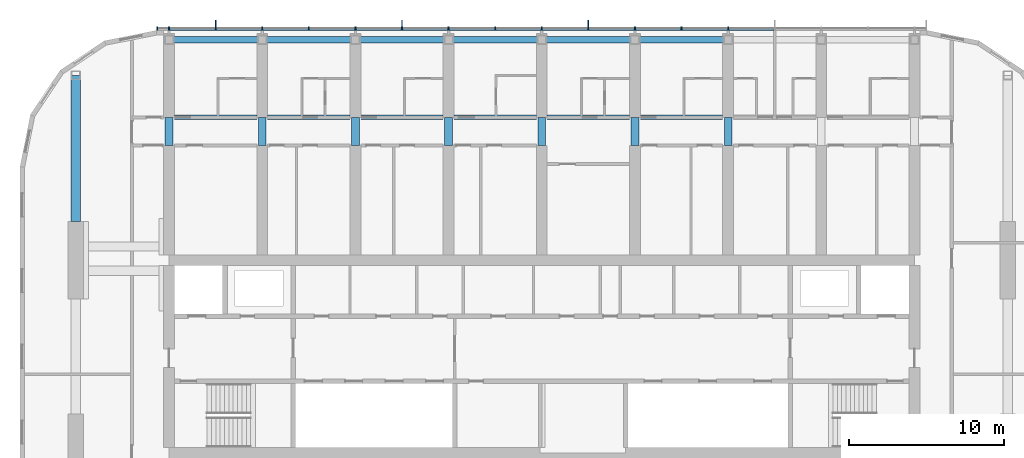
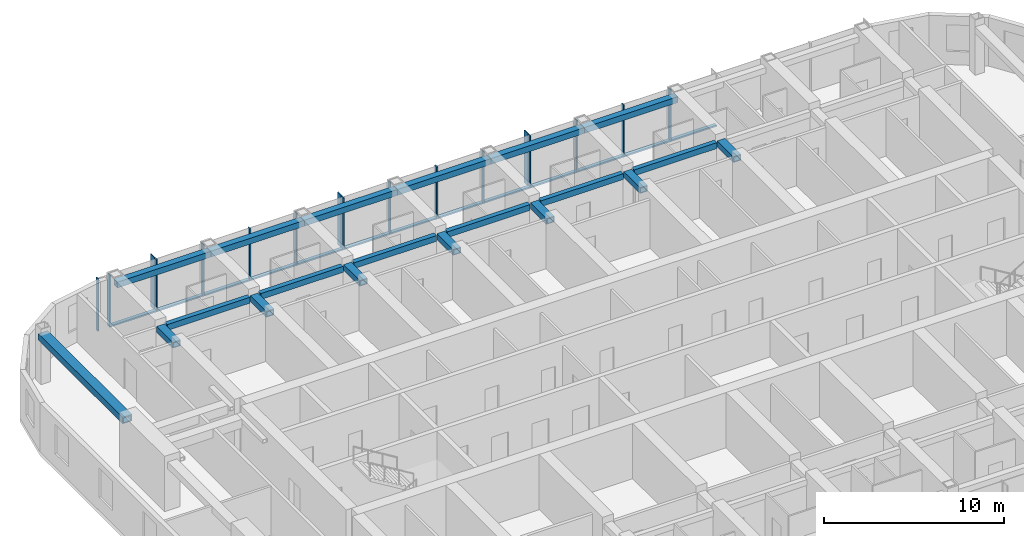
# One storey, part 4 of 23: 30 members, 20 beams, 1 element without a shape of its own.
"""IFC4 building model written with IfcOpenShell, lengths in metres."""

from ifc_helpers import new_model, si_unit, direction, frame, origin, origin_2d, place, context, subcontext, project, spatial, rectangle, hollow_rectangle, extrude, material, material_profile, profile_set, type_object, element, aggregate, save


model = new_model("IFC4")

# Units and contexts
model_context = context("Model", 3, precision=1e-05, world=origin(), true_north=direction((0.0, 1.0)))
body_context = subcontext(model_context, "Body", "Model", "MODEL_VIEW")
ifc_project = project(units=[si_unit("LENGTHUNIT", "METRE"), si_unit("AREAUNIT", "SQUARE_METRE"), si_unit("VOLUMEUNIT", "CUBIC_METRE"), si_unit("PLANEANGLEUNIT", "RADIAN"), si_unit("MASSUNIT", "GRAM", prefix="KILO")], contexts=[model_context])

# Site, building, storey
site_placement = place(None, origin())
site = spatial("IfcSite", under=ifc_project, at=site_placement, CompositionType="ELEMENT")
building_placement = place(site_placement, origin())
building = spatial("IfcBuilding", under=site, at=building_placement, Name="Orbita Commons", CompositionType="ELEMENT")
storey_placement = place(building_placement, frame((0.0, 0.0, 212.800048828125)))
storey = spatial("IfcBuildingStorey", under=building, at=storey_placement, Name="L52", CompositionType="ELEMENT", Elevation=212.800048828125)

# Curtain wall, members
ifc_material_1 = material(Name="Anodised aluminium frame, pale silver", Category="aluminium")
curtain_wall_type = type_object("IfcCurtainWallType", Name="Unitised curtain wall CW-U, full-height vision", PredefinedType="NOTDEFINED", material=ifc_material_1)
curtain_wall_placement = place(storey_placement, origin())
curtain_wall = element("IfcCurtainWall", 1, at=curtain_wall_placement, inside=storey, type_object=curtain_wall_type, Name="Curtain wall north L52", PredefinedType="NOTDEFINED")
ifc_material_2 = material(Name="Anodised aluminium, pale silver", Category="aluminium")
ifc_material_profile_1 = material_profile(ifc_material_2, rectangle(XDim=0.080078125, YDim=0.219970703125, at=origin_2d()), Name="AL 80x220")
ifc_profile_set_1 = profile_set([ifc_material_profile_1], Name="Anodised aluminium, pale silver")
member_type_1 = type_object("IfcMemberType", Name="Curtain wall mullion 80x220", PredefinedType="MULLION", material=ifc_profile_set_1)
member_1_placement = place(storey_placement, frame((54.0, 53.110107421875, -0.25), z_axis=(0.0, 0.0, 1.0), x_axis=(-1.0, 0.0, 0.0)))
member_1 = element("IfcMember", 2, at=member_1_placement, type_object=member_type_1, Name="Mullion 6 CW-L52-N", PredefinedType="MULLION", context=body_context, shape_type="SweptSolid", body=[
    extrude(rectangle(XDim=0.080078125, YDim=0.219970703125, at=origin_2d()), origin(), (0.0, 0.0, 1.0), 3.550048828125),
])
member_2_placement = place(storey_placement, frame((51.0, 53.110107421875, -0.25), z_axis=(0.0, 0.0, 1.0), x_axis=(-1.0, 0.0, 0.0)))
member_2 = element("IfcMember", 3, at=member_2_placement, type_object=member_type_1, Name="Mullion 7 CW-L52-N", PredefinedType="MULLION", context=body_context, shape_type="SweptSolid", body=[
    extrude(rectangle(XDim=0.080078125, YDim=0.219970703125, at=origin_2d()), origin(), (0.0, 0.0, 1.0), 3.550048828125),
])
member_3_placement = place(storey_placement, frame((48.0, 53.110107421875, -0.25), z_axis=(0.0, 0.0, 1.0), x_axis=(-1.0, 0.0, 0.0)))
member_3 = element("IfcMember", 4, at=member_3_placement, type_object=member_type_1, Name="Mullion 8 CW-L52-N", PredefinedType="MULLION", context=body_context, shape_type="SweptSolid", body=[
    extrude(rectangle(XDim=0.080078125, YDim=0.219970703125, at=origin_2d()), origin(), (0.0, 0.0, 1.0), 3.550048828125),
])
member_4_placement = place(storey_placement, frame((45.0, 53.110107421875, -0.25), z_axis=(0.0, 0.0, 1.0), x_axis=(-1.0, 0.0, 0.0)))
member_4 = element("IfcMember", 5, at=member_4_placement, type_object=member_type_1, Name="Mullion 9 CW-L52-N", PredefinedType="MULLION", context=body_context, shape_type="SweptSolid", body=[
    extrude(rectangle(XDim=0.080078125, YDim=0.219970703125, at=origin_2d()), origin(), (0.0, 0.0, 1.0), 3.550048828125),
])
member_5_placement = place(storey_placement, frame((42.0, 53.110107421875, -0.25), z_axis=(0.0, 0.0, 1.0), x_axis=(-1.0, 0.0, 0.0)))
member_5 = element("IfcMember", 6, at=member_5_placement, type_object=member_type_1, Name="Mullion 10 CW-L52-N", PredefinedType="MULLION", context=body_context, shape_type="SweptSolid", body=[
    extrude(rectangle(XDim=0.080078125, YDim=0.219970703125, at=origin_2d()), origin(), (0.0, 0.0, 1.0), 3.550048828125),
])
member_6_placement = place(storey_placement, frame((39.0, 53.110107421875, -0.25), z_axis=(0.0, 0.0, 1.0), x_axis=(-1.0, 0.0, 0.0)))
member_6 = element("IfcMember", 7, at=member_6_placement, type_object=member_type_1, Name="Mullion 11 CW-L52-N", PredefinedType="MULLION", context=body_context, shape_type="SweptSolid", body=[
    extrude(rectangle(XDim=0.080078125, YDim=0.219970703125, at=origin_2d()), origin(), (0.0, 0.0, 1.0), 3.550048828125),
])
member_7_placement = place(storey_placement, frame((36.0, 53.110107421875, -0.25), z_axis=(0.0, 0.0, 1.0), x_axis=(-1.0, 0.0, 0.0)))
member_7 = element("IfcMember", 8, at=member_7_placement, type_object=member_type_1, Name="Mullion 12 CW-L52-N", PredefinedType="MULLION", context=body_context, shape_type="SweptSolid", body=[
    extrude(rectangle(XDim=0.080078125, YDim=0.219970703125, at=origin_2d()), origin(), (0.0, 0.0, 1.0), 3.550048828125),
])
member_8_placement = place(storey_placement, frame((33.0, 53.110107421875, -0.25), z_axis=(0.0, 0.0, 1.0), x_axis=(-1.0, 0.0, 0.0)))
member_8 = element("IfcMember", 9, at=member_8_placement, type_object=member_type_1, Name="Mullion 13 CW-L52-N", PredefinedType="MULLION", context=body_context, shape_type="SweptSolid", body=[
    extrude(rectangle(XDim=0.080078125, YDim=0.219970703125, at=origin_2d()), origin(), (0.0, 0.0, 1.0), 3.550048828125),
])
member_9_placement = place(storey_placement, frame((30.0, 53.110107421875, -0.25), z_axis=(0.0, 0.0, 1.0), x_axis=(-1.0, 0.0, 0.0)))
member_9 = element("IfcMember", 10, at=member_9_placement, type_object=member_type_1, Name="Mullion 14 CW-L52-N", PredefinedType="MULLION", context=body_context, shape_type="SweptSolid", body=[
    extrude(rectangle(XDim=0.080078125, YDim=0.219970703125, at=origin_2d()), origin(), (0.0, 0.0, 1.0), 3.550048828125),
])
member_10_placement = place(storey_placement, frame((27.0, 53.110107421875, -0.25), z_axis=(0.0, 0.0, 1.0), x_axis=(-1.0, 0.0, 0.0)))
member_10 = element("IfcMember", 11, at=member_10_placement, type_object=member_type_1, Name="Mullion 15 CW-L52-N", PredefinedType="MULLION", context=body_context, shape_type="SweptSolid", body=[
    extrude(rectangle(XDim=0.080078125, YDim=0.219970703125, at=origin_2d()), origin(), (0.0, 0.0, 1.0), 3.550048828125),
])
member_11_placement = place(storey_placement, frame((24.0, 53.110107421875, -0.25), z_axis=(0.0, 0.0, 1.0), x_axis=(-1.0, 0.0, 0.0)))
member_11 = element("IfcMember", 12, at=member_11_placement, type_object=member_type_1, Name="Mullion 16 CW-L52-N", PredefinedType="MULLION", context=body_context, shape_type="SweptSolid", body=[
    extrude(rectangle(XDim=0.080078125, YDim=0.219970703125, at=origin_2d()), origin(), (0.0, 0.0, 1.0), 3.550048828125),
])
member_12_placement = place(storey_placement, frame((21.0, 53.110107421875, -0.25), z_axis=(0.0, 0.0, 1.0), x_axis=(-1.0, 0.0, 0.0)))
member_12 = element("IfcMember", 13, at=member_12_placement, type_object=member_type_1, Name="Mullion 17 CW-L52-N", PredefinedType="MULLION", context=body_context, shape_type="SweptSolid", body=[
    extrude(rectangle(XDim=0.080078125, YDim=0.219970703125, at=origin_2d()), origin(), (0.0, 0.0, 1.0), 3.550048828125),
])
member_13_placement = place(storey_placement, frame((18.0, 53.110107421875, -0.25), z_axis=(0.0, 0.0, 1.0), x_axis=(-1.0, 0.0, 0.0)))
member_13 = element("IfcMember", 14, at=member_13_placement, type_object=member_type_1, Name="Mullion 18 CW-L52-N", PredefinedType="MULLION", context=body_context, shape_type="SweptSolid", body=[
    extrude(rectangle(XDim=0.080078125, YDim=0.219970703125, at=origin_2d()), origin(), (0.0, 0.0, 1.0), 3.550048828125),
])
member_14_placement = place(storey_placement, frame((17.239990234375, 53.110107421875, -0.25), z_axis=(0.0, 0.0, 1.0), x_axis=(-1.0, 0.0, 0.0)))
member_14 = element("IfcMember", 15, at=member_14_placement, type_object=member_type_1, Name="Mullion 19 CW-L52-N", PredefinedType="MULLION", context=body_context, shape_type="SweptSolid", body=[
    extrude(rectangle(XDim=0.080078125, YDim=0.219970703125, at=origin_2d()), origin(), (0.0, 0.0, 1.0), 3.550048828125),
])
ifc_material_3 = material(Name="Anodised aluminium, pale silver", Category="aluminium")
ifc_material_profile_2 = material_profile(ifc_material_3, rectangle(XDim=0.219970703125, YDim=0.10009765625, at=origin_2d()), Name="AL 220x100")
ifc_profile_set_2 = profile_set([ifc_material_profile_2], Name="Anodised aluminium, pale silver")
member_type_2 = type_object("IfcMemberType", Name="Curtain wall stack transom 220x100", PredefinedType="USERDEFINED", material=ifc_profile_set_2)
member_15_placement = place(storey_placement, frame((56.9599609375, 53.110107421875, -0.199951171875), z_axis=(-1.0, 0.0, 0.0), x_axis=(0.0, -1.0, 0.0)))
member_15 = element("IfcMember", 16, at=member_15_placement, type_object=member_type_2, Name="Transom 5.1 CW-L52-N", ObjectType="TRANSOM", PredefinedType="USERDEFINED", context=body_context, shape_type="SweptSolid", body=[
    extrude(rectangle(XDim=0.219970703125, YDim=0.10009765625, at=origin_2d()), origin(), (0.0, 0.0, 1.0), 2.919921875),
])
member_16_placement = place(storey_placement, frame((53.9599609375, 53.110107421875, -0.199951171875), z_axis=(-1.0, 0.0, 0.0), x_axis=(0.0, -1.0, 0.0)))
member_16 = element("IfcMember", 17, at=member_16_placement, type_object=member_type_2, Name="Transom 6.1 CW-L52-N", ObjectType="TRANSOM", PredefinedType="USERDEFINED", context=body_context, shape_type="SweptSolid", body=[
    extrude(rectangle(XDim=0.219970703125, YDim=0.10009765625, at=origin_2d()), origin(), (0.0, 0.0, 1.0), 2.919921875),
])
member_17_placement = place(storey_placement, frame((50.9599609375, 53.110107421875, -0.199951171875), z_axis=(-1.0, 0.0, 0.0), x_axis=(0.0, -1.0, 0.0)))
member_17 = element("IfcMember", 18, at=member_17_placement, type_object=member_type_2, Name="Transom 7.1 CW-L52-N", ObjectType="TRANSOM", PredefinedType="USERDEFINED", context=body_context, shape_type="SweptSolid", body=[
    extrude(rectangle(XDim=0.219970703125, YDim=0.10009765625, at=origin_2d()), origin(), (0.0, 0.0, 1.0), 2.919921875),
])
member_18_placement = place(storey_placement, frame((47.9599609375, 53.110107421875, -0.199951171875), z_axis=(-1.0, 0.0, 0.0), x_axis=(0.0, -1.0, 0.0)))
member_18 = element("IfcMember", 19, at=member_18_placement, type_object=member_type_2, Name="Transom 8.1 CW-L52-N", ObjectType="TRANSOM", PredefinedType="USERDEFINED", context=body_context, shape_type="SweptSolid", body=[
    extrude(rectangle(XDim=0.219970703125, YDim=0.10009765625, at=origin_2d()), origin(), (0.0, 0.0, 1.0), 2.919921875),
])
member_19_placement = place(storey_placement, frame((44.9599609375, 53.110107421875, -0.199951171875), z_axis=(-1.0, 0.0, 0.0), x_axis=(0.0, -1.0, 0.0)))
member_19 = element("IfcMember", 20, at=member_19_placement, type_object=member_type_2, Name="Transom 9.1 CW-L52-N", ObjectType="TRANSOM", PredefinedType="USERDEFINED", context=body_context, shape_type="SweptSolid", body=[
    extrude(rectangle(XDim=0.219970703125, YDim=0.10009765625, at=origin_2d()), origin(), (0.0, 0.0, 1.0), 2.919921875),
])
member_20_placement = place(storey_placement, frame((41.9599609375, 53.110107421875, -0.199951171875), z_axis=(-1.0, 0.0, 0.0), x_axis=(0.0, -1.0, 0.0)))
member_20 = element("IfcMember", 21, at=member_20_placement, type_object=member_type_2, Name="Transom 10.1 CW-L52-N", ObjectType="TRANSOM", PredefinedType="USERDEFINED", context=body_context, shape_type="SweptSolid", body=[
    extrude(rectangle(XDim=0.219970703125, YDim=0.10009765625, at=origin_2d()), origin(), (0.0, 0.0, 1.0), 2.919921875),
])
member_21_placement = place(storey_placement, frame((38.9599609375, 53.110107421875, -0.199951171875), z_axis=(-1.0, 0.0, 0.0), x_axis=(0.0, -1.0, 0.0)))
member_21 = element("IfcMember", 22, at=member_21_placement, type_object=member_type_2, Name="Transom 11.1 CW-L52-N", ObjectType="TRANSOM", PredefinedType="USERDEFINED", context=body_context, shape_type="SweptSolid", body=[
    extrude(rectangle(XDim=0.219970703125, YDim=0.10009765625, at=origin_2d()), origin(), (0.0, 0.0, 1.0), 2.919921875),
])
member_22_placement = place(storey_placement, frame((35.9599609375, 53.110107421875, -0.199951171875), z_axis=(-1.0, 0.0, 0.0), x_axis=(0.0, -1.0, 0.0)))
member_22 = element("IfcMember", 23, at=member_22_placement, type_object=member_type_2, Name="Transom 12.1 CW-L52-N", ObjectType="TRANSOM", PredefinedType="USERDEFINED", context=body_context, shape_type="SweptSolid", body=[
    extrude(rectangle(XDim=0.219970703125, YDim=0.10009765625, at=origin_2d()), origin(), (0.0, 0.0, 1.0), 2.919921875),
])
member_23_placement = place(storey_placement, frame((32.9599609375, 53.110107421875, -0.199951171875), z_axis=(-1.0, 0.0, 0.0), x_axis=(0.0, -1.0, 0.0)))
member_23 = element("IfcMember", 24, at=member_23_placement, type_object=member_type_2, Name="Transom 13.1 CW-L52-N", ObjectType="TRANSOM", PredefinedType="USERDEFINED", context=body_context, shape_type="SweptSolid", body=[
    extrude(rectangle(XDim=0.219970703125, YDim=0.10009765625, at=origin_2d()), origin(), (0.0, 0.0, 1.0), 2.919921875),
])
member_24_placement = place(storey_placement, frame((29.9599609375, 53.110107421875, -0.199951171875), z_axis=(-1.0, 0.0, 0.0), x_axis=(0.0, -1.0, 0.0)))
member_24 = element("IfcMember", 25, at=member_24_placement, type_object=member_type_2, Name="Transom 14.1 CW-L52-N", ObjectType="TRANSOM", PredefinedType="USERDEFINED", context=body_context, shape_type="SweptSolid", body=[
    extrude(rectangle(XDim=0.219970703125, YDim=0.10009765625, at=origin_2d()), origin(), (0.0, 0.0, 1.0), 2.919921875),
])
member_25_placement = place(storey_placement, frame((26.9599609375, 53.110107421875, -0.199951171875), z_axis=(-1.0, 0.0, 0.0), x_axis=(0.0, -1.0, 0.0)))
member_25 = element("IfcMember", 26, at=member_25_placement, type_object=member_type_2, Name="Transom 15.1 CW-L52-N", ObjectType="TRANSOM", PredefinedType="USERDEFINED", context=body_context, shape_type="SweptSolid", body=[
    extrude(rectangle(XDim=0.219970703125, YDim=0.10009765625, at=origin_2d()), origin(), (0.0, 0.0, 1.0), 2.919921875),
])
member_26_placement = place(storey_placement, frame((23.9599609375, 53.110107421875, -0.199951171875), z_axis=(-1.0, 0.0, 0.0), x_axis=(0.0, -1.0, 0.0)))
member_26 = element("IfcMember", 27, at=member_26_placement, type_object=member_type_2, Name="Transom 16.1 CW-L52-N", ObjectType="TRANSOM", PredefinedType="USERDEFINED", context=body_context, shape_type="SweptSolid", body=[
    extrude(rectangle(XDim=0.219970703125, YDim=0.10009765625, at=origin_2d()), origin(), (0.0, 0.0, 1.0), 2.919921875),
])
member_27_placement = place(storey_placement, frame((20.9599609375, 53.110107421875, -0.199951171875), z_axis=(-1.0, 0.0, 0.0), x_axis=(0.0, -1.0, 0.0)))
member_27 = element("IfcMember", 28, at=member_27_placement, type_object=member_type_2, Name="Transom 17.1 CW-L52-N", ObjectType="TRANSOM", PredefinedType="USERDEFINED", context=body_context, shape_type="SweptSolid", body=[
    extrude(rectangle(XDim=0.219970703125, YDim=0.10009765625, at=origin_2d()), origin(), (0.0, 0.0, 1.0), 2.919921875),
])

# Beams
ifc_material_4 = material(Name="Steel ASTM A572 Gr 50 welded plate", Category="steel")
ifc_material_profile_3 = material_profile(ifc_material_4, hollow_rectangle(XDim=0.300048828125, YDim=0.39990234375, WallThickness=0.0400390625, at=origin_2d()), Name="BOX 400x300x40")
ifc_profile_set_3 = profile_set([ifc_material_profile_3], Name="Steel ASTM A572 Gr 50 welded plate")
beam_type_1 = type_object("IfcBeamType", Name="Steel corridor link BOX 400x300x40", PredefinedType="BEAM", material=ifc_profile_set_3)
for number, where, z_axis, x_axis, name in (
    (29, (18.35009765625, 47.39990234375, 3.099853515625), (1.0, 0.0, 0.0), (0.0, 1.0, 0.0), "Corridor beam NB 4-5 L52"),
    (30, (24.35009765625, 47.39990234375, 3.099853515625), (1.0, 0.0, 0.0), (0.0, 1.0, 0.0), "Corridor beam NB 5-6 L52"),
    (31, (30.35009765625, 47.39990234375, 3.099853515625), (1.0, 0.0, 0.0), (0.0, 1.0, 0.0), "Corridor beam NB 6-7 L52"),
    (32, (36.35009765625, 47.39990234375, 3.099853515625), (1.0, 0.0, 0.0), (0.0, 1.0, 0.0), "Corridor beam NB 7-8 L52"),
    (33, (42.35009765625, 47.39990234375, 3.099853515625), (1.0, 0.0, 0.0), (0.0, 1.0, 0.0), "Corridor beam NB 8-9 L52"),
    (34, (48.35009765625, 47.39990234375, 3.099853515625), (1.0, 0.0, 0.0), (0.0, 1.0, 0.0), "Corridor beam NB 9-10 L52"),
):
    element("IfcBeam", number, at=place(storey_placement, frame(where, z_axis=z_axis, x_axis=x_axis)), inside=storey, type_object=beam_type_1, Name=name, PredefinedType="BEAM", context=body_context, shape_type="SweptSolid", body=[
        extrude(hollow_rectangle(XDim=0.300048828125, YDim=0.39990234375, WallThickness=0.0400390625, at=origin_2d()), origin(), (0.0, 0.0, 1.0), 5.2998046875),
    ])
ifc_material_5 = material(Name="Steel ASTM A572 Gr 50 welded plate", Category="steel")
ifc_material_profile_4 = material_profile(ifc_material_5, hollow_rectangle(XDim=0.5, YDim=0.39990234375, WallThickness=0.050048828125, at=origin_2d()), Name="BOX 400x500x50")
ifc_profile_set_4 = profile_set([ifc_material_profile_4], Name="Steel ASTM A572 Gr 50 welded plate")
beam_type_2 = type_object("IfcBeamType", Name="Steel coupling link BOX 400x500x50", PredefinedType="LINTEL", material=ifc_profile_set_4)
for number, where, z_axis, x_axis, name in (
    (35, (18.0, 45.60009765625, 3.099853515625), (0.0, 1.0, 0.0), (-1.0, 0.0, 0.0), "Coupling beam 4 north L52"),
    (36, (24.0, 45.60009765625, 3.099853515625), (0.0, 1.0, 0.0), (-1.0, 0.0, 0.0), "Coupling beam 5 north L52"),
    (37, (30.0, 45.60009765625, 3.099853515625), (0.0, 1.0, 0.0), (-1.0, 0.0, 0.0), "Coupling beam 6 north L52"),
    (38, (36.0, 45.60009765625, 3.099853515625), (0.0, 1.0, 0.0), (-1.0, 0.0, 0.0), "Coupling beam 7 north L52"),
    (39, (42.0, 45.60009765625, 3.099853515625), (0.0, 1.0, 0.0), (-1.0, 0.0, 0.0), "Coupling beam 8 north L52"),
    (40, (48.0, 45.60009765625, 3.099853515625), (0.0, 1.0, 0.0), (-1.0, 0.0, 0.0), "Coupling beam 9 north L52"),
    (41, (54.0, 45.60009765625, 3.099853515625), (0.0, 1.0, 0.0), (-1.0, 0.0, 0.0), "Coupling beam 10 north L52"),
):
    element("IfcBeam", number, at=place(storey_placement, frame(where, z_axis=z_axis, x_axis=x_axis)), inside=storey, type_object=beam_type_2, Name=name, PredefinedType="LINTEL", context=body_context, shape_type="SweptSolid", body=[
        extrude(hollow_rectangle(XDim=0.5, YDim=0.39990234375, WallThickness=0.050048828125, at=origin_2d()), origin(), (0.0, 0.0, 1.0), 1.7998046875),
    ])
ifc_material_6 = material(Name="Steel ASTM A572 Gr 50 welded plate", Category="steel")
ifc_material_profile_5 = material_profile(ifc_material_6, hollow_rectangle(XDim=0.60009765625, YDim=0.449951171875, WallThickness=0.06005859375, at=origin_2d()), Name="BOX 450x600x60")
ifc_profile_set_5 = profile_set([ifc_material_profile_5], Name="Steel ASTM A572 Gr 50 welded plate")
beam_type_3 = type_object("IfcBeamType", Name="Steel end frame link BOX 450x600x60", PredefinedType="BEAM", material=ifc_profile_set_5)
beam_placement = place(storey_placement, frame((12.0, 40.699951171875, 3.074951171875), z_axis=(0.0, 1.0, 0.0), x_axis=(-1.0, 0.0, 0.0)))
element("IfcBeam", 42, at=beam_placement, inside=storey, type_object=beam_type_3, Name="End frame beam 3 D-E L52", PredefinedType="BEAM", context=body_context, shape_type="SweptSolid", body=[
    extrude(hollow_rectangle(XDim=0.60009765625, YDim=0.449951171875, WallThickness=0.06005859375, at=origin_2d()), origin(), (0.0, 0.0, 1.0), 9.400146484375),
])
ifc_material_7 = material(Name="Steel ASTM A572 Gr 50 welded plate", Category="steel")
ifc_material_profile_6 = material_profile(ifc_material_7, hollow_rectangle(XDim=0.39990234375, YDim=0.39990234375, WallThickness=0.0400390625, at=origin_2d()), Name="BOX 400x400x40")
ifc_profile_set_6 = profile_set([ifc_material_profile_6], Name="Steel ASTM A572 Gr 50 welded plate")
beam_type_4 = type_object("IfcBeamType", Name="Steel spandrel BOX 400x400x40", PredefinedType="SPANDREL", material=ifc_profile_set_6)
for number, where, z_axis, x_axis, name in (
    (43, (18.0, 52.39990234375, 3.099853515625), (1.0, 0.0, 0.0), (0.0, 1.0, 0.0), "Spandrel beam E 4-5 L52"),
    (44, (24.0, 52.39990234375, 3.099853515625), (1.0, 0.0, 0.0), (0.0, 1.0, 0.0), "Spandrel beam E 5-6 L52"),
    (45, (30.0, 52.39990234375, 3.099853515625), (1.0, 0.0, 0.0), (0.0, 1.0, 0.0), "Spandrel beam E 6-7 L52"),
    (46, (36.0, 52.39990234375, 3.099853515625), (1.0, 0.0, 0.0), (0.0, 1.0, 0.0), "Spandrel beam E 7-8 L52"),
    (47, (42.0, 52.39990234375, 3.099853515625), (1.0, 0.0, 0.0), (0.0, 1.0, 0.0), "Spandrel beam E 8-9 L52"),
    (48, (48.0, 52.39990234375, 3.099853515625), (1.0, 0.0, 0.0), (0.0, 1.0, 0.0), "Spandrel beam E 9-10 L52"),
):
    element("IfcBeam", number, at=place(storey_placement, frame(where, z_axis=z_axis, x_axis=x_axis)), inside=storey, type_object=beam_type_4, Name=name, PredefinedType="SPANDREL", context=body_context, shape_type="SweptSolid", body=[
        extrude(hollow_rectangle(XDim=0.39990234375, YDim=0.39990234375, WallThickness=0.0400390625, at=origin_2d()), origin(), (0.0, 0.0, 1.0), 6.0),
    ])

# Member
ifc_material_8 = material(Name="Anodised aluminium, pale silver", Category="aluminium")
ifc_material_profile_7 = material_profile(ifc_material_8, rectangle(XDim=0.06005859375, YDim=0.449951171875, at=origin_2d()), Name="FIN 60x450")
ifc_profile_set_7 = profile_set([ifc_material_profile_7], Name="Anodised aluminium, pale silver")
member_type_3 = type_object("IfcMemberType", Name="Vertical fin 60x450 pale aluminium", PredefinedType="USERDEFINED", material=ifc_profile_set_7)
member_28_placement = place(storey_placement, frame((45.0, 53.445068359375, -0.25), z_axis=(0.0, 0.0, 1.0), x_axis=(-1.0, 0.0, 0.0)))
member_28 = element("IfcMember", 49, at=member_28_placement, type_object=member_type_3, Name="Fin 9 CW-L52-N", ObjectType="FIN", PredefinedType="USERDEFINED", context=body_context, shape_type="SweptSolid", body=[
    extrude(rectangle(XDim=0.06005859375, YDim=0.449951171875, at=origin_2d()), origin(), (0.0, 0.0, 1.0), 3.550048828125),
])

member_29_placement = place(storey_placement, frame((33.0, 53.445068359375, -0.25), z_axis=(0.0, 0.0, 1.0), x_axis=(-1.0, 0.0, 0.0)))
member_29 = element("IfcMember", 50, at=member_29_placement, type_object=member_type_3, Name="Fin 13 CW-L52-N", ObjectType="FIN", PredefinedType="USERDEFINED", context=body_context, shape_type="SweptSolid", body=[
    extrude(rectangle(XDim=0.06005859375, YDim=0.449951171875, at=origin_2d()), origin(), (0.0, 0.0, 1.0), 3.550048828125),
])

member_30_placement = place(storey_placement, frame((21.0, 53.445068359375, -0.25), z_axis=(0.0, 0.0, 1.0), x_axis=(-1.0, 0.0, 0.0)))
member_30 = element("IfcMember", 51, at=member_30_placement, type_object=member_type_3, Name="Fin 17 CW-L52-N", ObjectType="FIN", PredefinedType="USERDEFINED", context=body_context, shape_type="SweptSolid", body=[
    extrude(rectangle(XDim=0.06005859375, YDim=0.449951171875, at=origin_2d()), origin(), (0.0, 0.0, 1.0), 3.550048828125),
])

aggregate(curtain_wall, [member_1, member_2, member_3, member_4, member_28, member_5, member_6, member_7, member_8, member_29, member_9, member_10, member_11, member_12, member_30, member_13, member_14, member_15, member_16, member_17, member_18, member_19, member_20, member_21, member_22, member_23, member_24, member_25, member_26, member_27])

save(model, "model.ifc")
